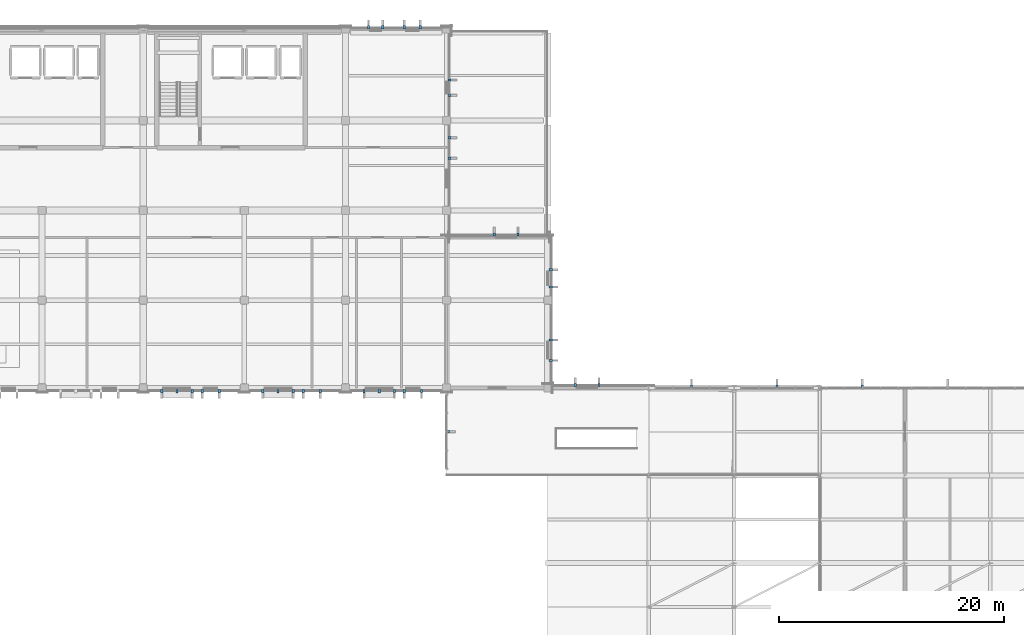
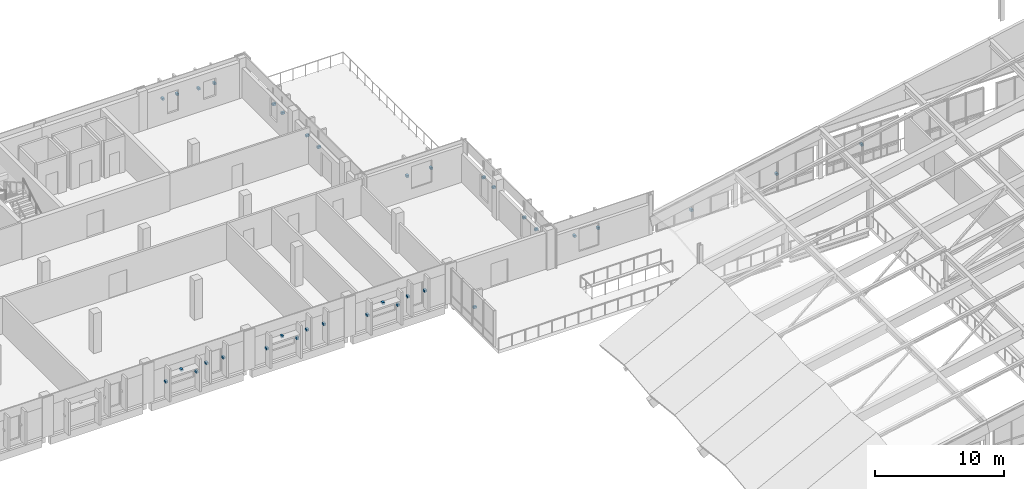
# One storey, part 60 of 73: 35 discrete accessories.
"""IFC4 building model written with IfcOpenShell, lengths in metres."""

from ifc_helpers import new_model, si_unit, direction, frame, origin, origin_2d, place, context, subcontext, project, spatial, rectangle, extrude, material, type_object, element, save


model = new_model("IFC4")

# Units and contexts
model_context = context("Model", 3, precision=1e-05, world=origin(), true_north=direction((0.0, 1.0)))
body_context = subcontext(model_context, "Body", "Model", "MODEL_VIEW")
ifc_project = project(units=[si_unit("LENGTHUNIT", "METRE"), si_unit("AREAUNIT", "SQUARE_METRE"), si_unit("VOLUMEUNIT", "CUBIC_METRE"), si_unit("PLANEANGLEUNIT", "RADIAN"), si_unit("MASSUNIT", "GRAM", prefix="KILO")], contexts=[model_context])

# Site, building, storey
site_placement = place(None, origin())
site = spatial("IfcSite", under=ifc_project, at=site_placement, CompositionType="ELEMENT")
building_placement = place(site_placement, origin())
building = spatial("IfcBuilding", under=site, at=building_placement, Name="Vervanel Yard Central Library", CompositionType="ELEMENT")
storey_placement = place(building_placement, frame((0.0, 0.0, 12.780029296875)))
storey = spatial("IfcBuildingStorey", under=building, at=storey_placement, Name="L03", CompositionType="ELEMENT", Elevation=12.780029296875)

# Discrete accessories
ifc_material = material(Name="Steel ASTM A572 Grade 50", Category="steel")
discrete_accessory_type = type_object("IfcDiscreteAccessoryType", Name="Stainless Solar Fin Fixing Bracket", PredefinedType="BRACKET", material=ifc_material)
for number, where, z_axis, x_axis, name in (
    (1, (83.0400390625, 114.31005859375, 1.9248046875), (0.0, 0.0, 1.0), (1.0, 0.0, 0.0), "L03 Solar Fin Bracket 133"),
    (2, (84.320068359375, 114.31005859375, 1.9248046875), (0.0, 0.0, 1.0), (1.0, 0.0, 0.0), "L03 Solar Fin Bracket 134"),
    (3, (86.239990234375, 114.31005859375, 1.77490234375), (0.0, 0.0, 1.0), (1.0, 0.0, 0.0), "L03 Solar Fin Bracket 135"),
    (4, (87.659912109375, 114.31005859375, 1.77490234375), (0.0, 0.0, 1.0), (1.0, 0.0, 0.0), "L03 Solar Fin Bracket 136"),
    (5, (64.639892578125, 81.909912109375, 1.2998046875), (0.0, 0.0, 1.0), (1.0, 0.0, 0.0), "L03 Solar Fin Bracket 149"),
    (6, (67.360107421875, 81.909912109375, 1.2998046875), (0.0, 0.0, 1.0), (1.0, 0.0, 0.0), "L03 Solar Fin Bracket 150"),
    (7, (66.0, 81.909912109375, 1.9501953125), (0.0, 0.0, 1.0), (1.0, 0.0, 0.0), "L03 Sunhood Bracket 20"),
    (8, (68.239990234375, 81.909912109375, 1.7998046875), (0.0, 0.0, 1.0), (1.0, 0.0, 0.0), "L03 Solar Fin Bracket 151"),
    (9, (69.760009765625, 81.909912109375, 1.7998046875), (0.0, 0.0, 1.0), (1.0, 0.0, 0.0), "L03 Solar Fin Bracket 152"),
    (10, (73.639892578125, 81.909912109375, 1.2998046875), (0.0, 0.0, 1.0), (1.0, 0.0, 0.0), "L03 Solar Fin Bracket 153"),
    (11, (76.360107421875, 81.909912109375, 1.2998046875), (0.0, 0.0, 1.0), (1.0, 0.0, 0.0), "L03 Solar Fin Bracket 154"),
    (12, (75.0, 81.909912109375, 1.9501953125), (0.0, 0.0, 1.0), (1.0, 0.0, 0.0), "L03 Sunhood Bracket 21"),
    (13, (77.239990234375, 81.909912109375, 1.7998046875), (0.0, 0.0, 1.0), (1.0, 0.0, 0.0), "L03 Solar Fin Bracket 155"),
    (14, (78.760009765625, 81.909912109375, 1.7998046875), (0.0, 0.0, 1.0), (1.0, 0.0, 0.0), "L03 Solar Fin Bracket 156"),
    (15, (82.639892578125, 81.909912109375, 1.2998046875), (0.0, 0.0, 1.0), (1.0, 0.0, 0.0), "L03 Solar Fin Bracket 157"),
    (16, (85.360107421875, 81.909912109375, 1.2998046875), (0.0, 0.0, 1.0), (1.0, 0.0, 0.0), "L03 Solar Fin Bracket 158"),
    (17, (84.0, 81.909912109375, 1.9501953125), (0.0, 0.0, 1.0), (1.0, 0.0, 0.0), "L03 Sunhood Bracket 22"),
    (18, (86.239990234375, 81.909912109375, 1.7998046875), (0.0, 0.0, 1.0), (1.0, 0.0, 0.0), "L03 Solar Fin Bracket 159"),
    (19, (87.760009765625, 81.909912109375, 1.7998046875), (0.0, 0.0, 1.0), (1.0, 0.0, 0.0), "L03 Solar Fin Bracket 160"),
    (20, (99.27001953125, 84.639892578125, 1.89990234375), (0.0, 0.0, 1.0), (0.0, 1.0, 0.0), "L03 Solar Fin Bracket 167"),
    (21, (99.27001953125, 86.4599609375, 1.89990234375), (0.0, 0.0, 1.0), (0.0, 1.0, 0.0), "L03 Solar Fin Bracket 168"),
    (22, (99.27001953125, 91.18994140625, 1.89990234375), (0.0, 0.0, 1.0), (0.0, 1.0, 0.0), "L03 Solar Fin Bracket 169"),
    (23, (99.27001953125, 92.7099609375, 1.89990234375), (0.0, 0.0, 1.0), (0.0, 1.0, 0.0), "L03 Solar Fin Bracket 170"),
    (24, (96.360107421875, 95.8701171875, 1.89990234375), (0.0, 0.0, 1.0), (-1.0, 0.0, 0.0), "L03 Solar Fin Bracket 171"),
    (25, (94.239990234375, 95.8701171875, 1.89990234375), (0.0, 0.0, 1.0), (-1.0, 0.0, 0.0), "L03 Solar Fin Bracket 172"),
    (26, (90.27001953125, 102.639892578125, 1.89990234375), (0.0, 0.0, 1.0), (0.0, 1.0, 0.0), "L03 Solar Fin Bracket 173"),
    (27, (90.27001953125, 104.4599609375, 1.89990234375), (0.0, 0.0, 1.0), (0.0, 1.0, 0.0), "L03 Solar Fin Bracket 174"),
    (28, (90.27001953125, 108.239990234375, 1.72509765625), (0.0, 0.0, 1.0), (0.0, 1.0, 0.0), "L03 Solar Fin Bracket 175"),
    (29, (90.27001953125, 109.610107421875, 1.72509765625), (0.0, 0.0, 1.0), (0.0, 1.0, 0.0), "L03 Solar Fin Bracket 176"),
    (30, (90.1298828125, 78.300048828125, 1.60009765625), (0.0, 0.0, 1.0), (0.0, 1.0, 0.0), "L03 Solar Fin Bracket 440"),
    (31, (101.43994140625, 82.469970703125, 1.85009765625), (0.0, 0.0, 1.0), (1.0, 0.0, 0.0), "L03 Solar Fin Bracket 477"),
    (32, (103.56005859375, 82.469970703125, 1.85009765625), (0.0, 0.0, 1.0), (1.0, 0.0, 0.0), "L03 Solar Fin Bracket 478"),
    (33, (111.800048828125, 82.330078125, 0.740234375), (0.0, 0.0, 1.0), (1.0, 0.0, 0.0), "L03 Solar Fin Bracket 479"),
    (34, (119.39990234375, 82.330078125, 1.49853515625), (0.0, 0.0, 1.0), (1.0, 0.0, 0.0), "L03 Solar Fin Bracket 480"),
    (35, (127.0, 82.330078125, 1.60009765625), (0.0, 0.0, 1.0), (1.0, 0.0, 0.0), "L03 Solar Fin Bracket 481"),
):
    element("IfcDiscreteAccessory", number, at=place(storey_placement, frame(where, z_axis=z_axis, x_axis=x_axis)), inside=storey, type_object=discrete_accessory_type, Name=name, PredefinedType="BRACKET", context=body_context, shape_type="SweptSolid", body=[
        extrude(rectangle(XDim=0.199951171875, YDim=0.280029296875, at=origin_2d()), origin(), (0.0, 0.0, 1.0), 0.199951171875),
    ])

save(model, "model.ifc")
